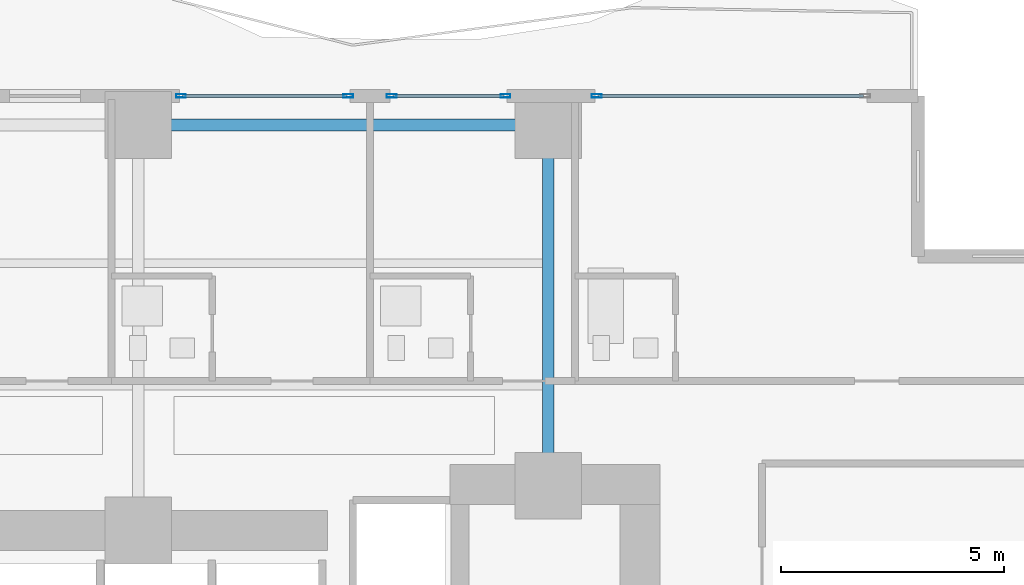
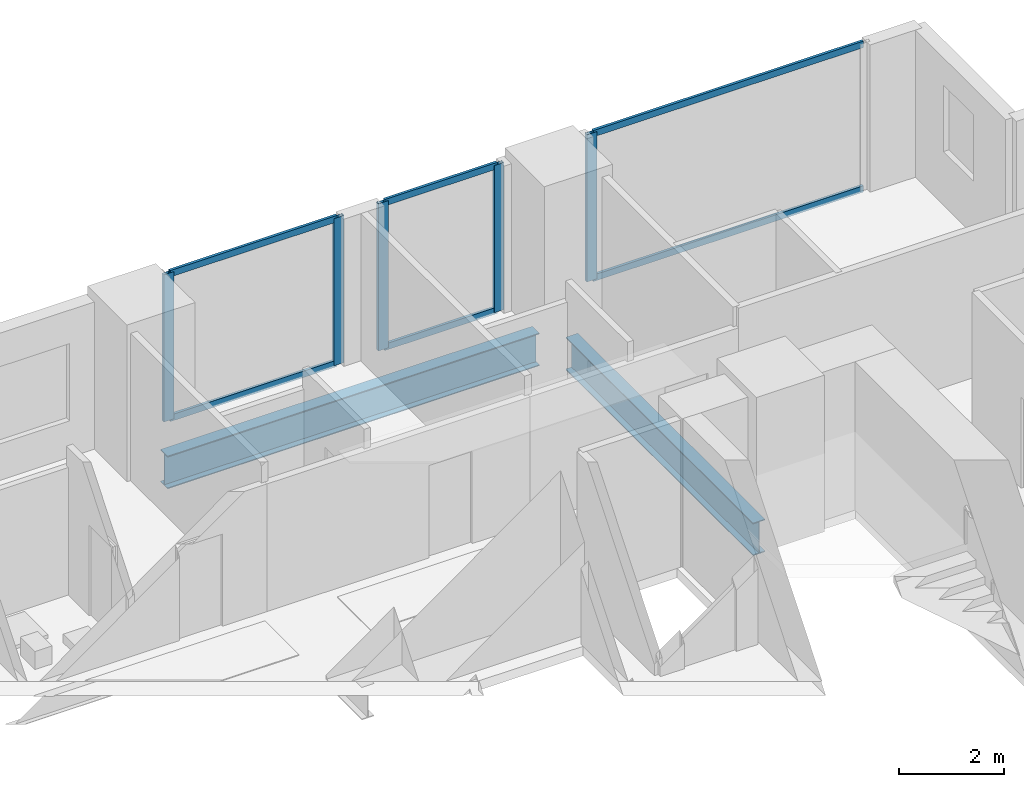
# One storey, part 15 of 28: 11 members, 2 beams, 3 elements without a shape of their own.
"""IFC4 building model written with IfcOpenShell, lengths in metres."""

from ifc_helpers import new_model, si_unit, direction, frame, origin, origin_2d, place, context, subcontext, project, spatial, hollow_rectangle, i_section, extrude, material, layer, layer_set, material_profile, profile_set, type_object, element, aggregate, save


model = new_model("IFC4")

# Units and contexts
model_context = context("Model", 3, precision=1e-05, world=origin(), true_north=direction((0.0, 1.0)))
body_context = subcontext(model_context, "Body", "Model", "MODEL_VIEW")
ifc_project = project(units=[si_unit("LENGTHUNIT", "METRE"), si_unit("AREAUNIT", "SQUARE_METRE"), si_unit("VOLUMEUNIT", "CUBIC_METRE"), si_unit("PLANEANGLEUNIT", "RADIAN"), si_unit("MASSUNIT", "GRAM", prefix="KILO")], contexts=[model_context])

# Site, building, storey
site_placement = place(None, origin())
site = spatial("IfcSite", under=ifc_project, at=site_placement, CompositionType="ELEMENT")
building_placement = place(site_placement, origin())
building = spatial("IfcBuilding", under=site, at=building_placement, Name="Zuhayl Quay Hotel", CompositionType="ELEMENT")
storey_placement = place(building_placement, frame((0.0, 0.0, 31.25)))
storey = spatial("IfcBuildingStorey", under=building, at=storey_placement, Name="L06", CompositionType="ELEMENT", Elevation=31.25)

# Beams
ifc_material_1 = material(Name="Steel ASTM A992 Grade 50", Category="steel")
ifc_material_profile_1 = material_profile(ifc_material_1, i_section(OverallWidth=0.26708984375, OverallDepth=0.761962890625, WebThickness=0.014404296875, FlangeThickness=0.021484375, at=origin_2d()), Name="W30X116")
ifc_profile_set_1 = profile_set([ifc_material_profile_1], Name="Steel ASTM A992 Grade 50")
beam_type = type_object("IfcBeamType", Name="BM_B1_W30X116", PredefinedType="BEAM", material=ifc_profile_set_1)
beam_1_placement = place(storey_placement, frame((13.300048828125, 22.449951171875, -0.60107421875), z_axis=(-1.0, 0.0, 0.0), x_axis=(0.0, -1.0, 0.0)))
element("IfcBeam", 1, at=beam_1_placement, inside=storey, type_object=beam_type, Name="L06 Floor Beam RG_L06_07", PredefinedType="BEAM", context=body_context, shape_type="SweptSolid", body=[
    extrude(i_section(OverallWidth=0.26708984375, OverallDepth=0.761962890625, WebThickness=0.014404296875, FlangeThickness=0.021484375, at=origin_2d()), origin(), (0.0, 0.0, 1.0), 8.199951171875),
])
beam_2_placement = place(storey_placement, frame((13.800048828125, 14.800048828125, -0.60107421875), z_axis=(0.0, 1.0, 0.0), x_axis=(-1.0, 0.0, 0.0)))
element("IfcBeam", 2, at=beam_2_placement, inside=storey, type_object=beam_type, Name="L06 Floor Beam FG_N_L06_4", PredefinedType="BEAM", context=body_context, shape_type="SweptSolid", body=[
    extrude(i_section(OverallWidth=0.26708984375, OverallDepth=0.761962890625, WebThickness=0.014404296875, FlangeThickness=0.021484375, at=origin_2d()), origin(), (0.0, 0.0, 1.0), 7.14990234375),
])

# Curtain wall, members
ifc_material_2 = material(Name="Anodised Aluminium 6063-T6", Category="aluminium")
ifc_layer = layer(ifc_material_2, 0.18994140625, Name="Anodised Aluminium 6063-T6", Category="aluminium")
ifc_layer_set = layer_set([ifc_layer], Name="Anodised Aluminium 6063-T6")
curtain_wall_type = type_object("IfcCurtainWallType", Name="CW_SYS_Z1", PredefinedType="USERDEFINED", material=ifc_layer_set)
curtain_wall_1_placement = place(storey_placement, origin())
curtain_wall_1 = element("IfcCurtainWall", 3, at=curtain_wall_1_placement, inside=storey, type_object=curtain_wall_type, Name="L06 Curtain Wall ENV_L06_N_CW2", ObjectType="UNITISED CURTAIN WALL", PredefinedType="USERDEFINED")
ifc_material_3 = material(Name="Black-anodised aluminium 6063-T6", Category="aluminium")
ifc_material_profile_2 = material_profile(ifc_material_3, hollow_rectangle(XDim=0.074951171875, YDim=0.219970703125, WallThickness=0.00390625, at=origin_2d()), Name="ALU220X75")
ifc_profile_set_2 = profile_set([ifc_material_profile_2], Name="Black-anodised aluminium 6063-T6")
member_type_1 = type_object("IfcMemberType", Name="MB_CW_MUL_220", PredefinedType="MULLION", material=ifc_profile_set_2)
member_1_placement = place(storey_placement, frame((5.5576171875, 23.10009765625, 0.0), z_axis=(0.0, 0.0, 1.0), x_axis=(0.0, 1.0, 0.0)))
member_1 = element("IfcMember", 4, at=member_1_placement, type_object=member_type_1, Name="CW-Z1 mullion 1", PredefinedType="MULLION", context=body_context, shape_type="SweptSolid", body=[
    extrude(hollow_rectangle(XDim=0.074951171875, YDim=0.219970703125, WallThickness=0.00390625, at=origin_2d()), origin(), (0.0, 0.0, 1.0), 3.429931640625),
])
member_2_placement = place(storey_placement, frame((9.3125, 23.10009765625, 0.0), z_axis=(0.0, 0.0, 1.0), x_axis=(0.0, 1.0, 0.0)))
member_2 = element("IfcMember", 5, at=member_2_placement, type_object=member_type_1, Name="CW-Z1 mullion 2", PredefinedType="MULLION", context=body_context, shape_type="SweptSolid", body=[
    extrude(hollow_rectangle(XDim=0.074951171875, YDim=0.219970703125, WallThickness=0.00390625, at=origin_2d()), origin(), (0.0, 0.0, 1.0), 3.429931640625),
])

curtain_wall_2_placement = place(storey_placement, origin())
curtain_wall_2 = element("IfcCurtainWall", 6, at=curtain_wall_2_placement, inside=storey, type_object=curtain_wall_type, Name="L06 Curtain Wall ENV_L06_N_CW3", ObjectType="UNITISED CURTAIN WALL", PredefinedType="USERDEFINED")
member_3_placement = place(storey_placement, frame((10.28759765625, 23.10009765625, 0.0), z_axis=(0.0, 0.0, 1.0), x_axis=(0.0, 1.0, 0.0)))
member_3 = element("IfcMember", 7, at=member_3_placement, type_object=member_type_1, Name="CW-Z1 mullion 1", PredefinedType="MULLION", context=body_context, shape_type="SweptSolid", body=[
    extrude(hollow_rectangle(XDim=0.074951171875, YDim=0.219970703125, WallThickness=0.00390625, at=origin_2d()), origin(), (0.0, 0.0, 1.0), 3.429931640625),
])
member_4_placement = place(storey_placement, frame((12.842529296875, 23.10009765625, 0.0), z_axis=(0.0, 0.0, 1.0), x_axis=(0.0, 1.0, 0.0)))
member_4 = element("IfcMember", 8, at=member_4_placement, type_object=member_type_1, Name="CW-Z1 mullion 2", PredefinedType="MULLION", context=body_context, shape_type="SweptSolid", body=[
    extrude(hollow_rectangle(XDim=0.074951171875, YDim=0.219970703125, WallThickness=0.00390625, at=origin_2d()), origin(), (0.0, 0.0, 1.0), 3.429931640625),
])

# Curtain wall, member
curtain_wall_3_placement = place(storey_placement, origin())
curtain_wall_3 = element("IfcCurtainWall", 9, at=curtain_wall_3_placement, inside=storey, type_object=curtain_wall_type, Name="L06 Curtain Wall ENV_L06_N_CW4", ObjectType="UNITISED CURTAIN WALL", PredefinedType="USERDEFINED")
member_5_placement = place(storey_placement, frame((14.887451171875, 23.10009765625, 0.0), z_axis=(0.0, 0.0, 1.0), x_axis=(0.0, 1.0, 0.0)))
member_5 = element("IfcMember", 10, at=member_5_placement, type_object=member_type_1, Name="CW-Z1 mullion 1", PredefinedType="MULLION", context=body_context, shape_type="SweptSolid", body=[
    extrude(hollow_rectangle(XDim=0.074951171875, YDim=0.219970703125, WallThickness=0.00390625, at=origin_2d()), origin(), (0.0, 0.0, 1.0), 3.429931640625),
])

# Member
ifc_material_profile_3 = material_profile(ifc_material_3, hollow_rectangle(XDim=0.06005859375, YDim=0.14990234375, WallThickness=0.00341796875, at=origin_2d()), Name="ALU150X60")
ifc_profile_set_3 = profile_set([ifc_material_profile_3], Name="Black-anodised aluminium 6063-T6")
member_type_2 = type_object("IfcMemberType", Name="MB_CW_TRN_150", PredefinedType="USERDEFINED", material=ifc_profile_set_3)
member_6_placement = place(storey_placement, frame((5.594970703125, 23.10009765625, 0.030029296875), z_axis=(1.0, 0.0, 0.0), x_axis=(0.0, 1.0, 0.0)))
member_6 = element("IfcMember", 11, at=member_6_placement, type_object=member_type_2, Name="CW-Z1 transom 1.1", ObjectType="TRANSOM", PredefinedType="USERDEFINED", context=body_context, shape_type="SweptSolid", body=[
    extrude(hollow_rectangle(XDim=0.06005859375, YDim=0.14990234375, WallThickness=0.00341796875, at=origin_2d()), origin(), (0.0, 0.0, 1.0), 3.679931640625),
])

member_7_placement = place(storey_placement, frame((5.594970703125, 23.10009765625, 3.39990234375), z_axis=(1.0, 0.0, 0.0), x_axis=(0.0, 1.0, 0.0)))
member_7 = element("IfcMember", 12, at=member_7_placement, type_object=member_type_2, Name="CW-Z1 transom 1.2", ObjectType="TRANSOM", PredefinedType="USERDEFINED", context=body_context, shape_type="SweptSolid", body=[
    extrude(hollow_rectangle(XDim=0.06005859375, YDim=0.14990234375, WallThickness=0.00341796875, at=origin_2d()), origin(), (0.0, 0.0, 1.0), 3.679931640625),
])

aggregate(curtain_wall_1, [member_1, member_2, member_6, member_7])

member_8_placement = place(storey_placement, frame((10.324951171875, 23.10009765625, 0.030029296875), z_axis=(1.0, 0.0, 0.0), x_axis=(0.0, 1.0, 0.0)))
member_8 = element("IfcMember", 13, at=member_8_placement, type_object=member_type_2, Name="CW-Z1 transom 1.1", ObjectType="TRANSOM", PredefinedType="USERDEFINED", context=body_context, shape_type="SweptSolid", body=[
    extrude(hollow_rectangle(XDim=0.06005859375, YDim=0.14990234375, WallThickness=0.00341796875, at=origin_2d()), origin(), (0.0, 0.0, 1.0), 2.47998046875),
])

member_9_placement = place(storey_placement, frame((10.324951171875, 23.10009765625, 3.39990234375), z_axis=(1.0, 0.0, 0.0), x_axis=(0.0, 1.0, 0.0)))
member_9 = element("IfcMember", 14, at=member_9_placement, type_object=member_type_2, Name="CW-Z1 transom 1.2", ObjectType="TRANSOM", PredefinedType="USERDEFINED", context=body_context, shape_type="SweptSolid", body=[
    extrude(hollow_rectangle(XDim=0.06005859375, YDim=0.14990234375, WallThickness=0.00341796875, at=origin_2d()), origin(), (0.0, 0.0, 1.0), 2.47998046875),
])

aggregate(curtain_wall_2, [member_3, member_4, member_8, member_9])

member_10_placement = place(storey_placement, frame((14.925048828125, 23.10009765625, 0.030029296875), z_axis=(1.0, 0.0, 0.0), x_axis=(0.0, 1.0, 0.0)))
member_10 = element("IfcMember", 15, at=member_10_placement, type_object=member_type_2, Name="CW-Z1 transom 1.1", ObjectType="TRANSOM", PredefinedType="USERDEFINED", context=body_context, shape_type="SweptSolid", body=[
    extrude(hollow_rectangle(XDim=0.06005859375, YDim=0.14990234375, WallThickness=0.00341796875, at=origin_2d()), origin(), (0.0, 0.0, 1.0), 5.949951171875),
])

member_11_placement = place(storey_placement, frame((14.925048828125, 23.10009765625, 3.39990234375), z_axis=(1.0, 0.0, 0.0), x_axis=(0.0, 1.0, 0.0)))
member_11 = element("IfcMember", 16, at=member_11_placement, type_object=member_type_2, Name="CW-Z1 transom 1.2", ObjectType="TRANSOM", PredefinedType="USERDEFINED", context=body_context, shape_type="SweptSolid", body=[
    extrude(hollow_rectangle(XDim=0.06005859375, YDim=0.14990234375, WallThickness=0.00341796875, at=origin_2d()), origin(), (0.0, 0.0, 1.0), 5.949951171875),
])

aggregate(curtain_wall_3, [member_5, member_10, member_11])

save(model, "model.ifc")
